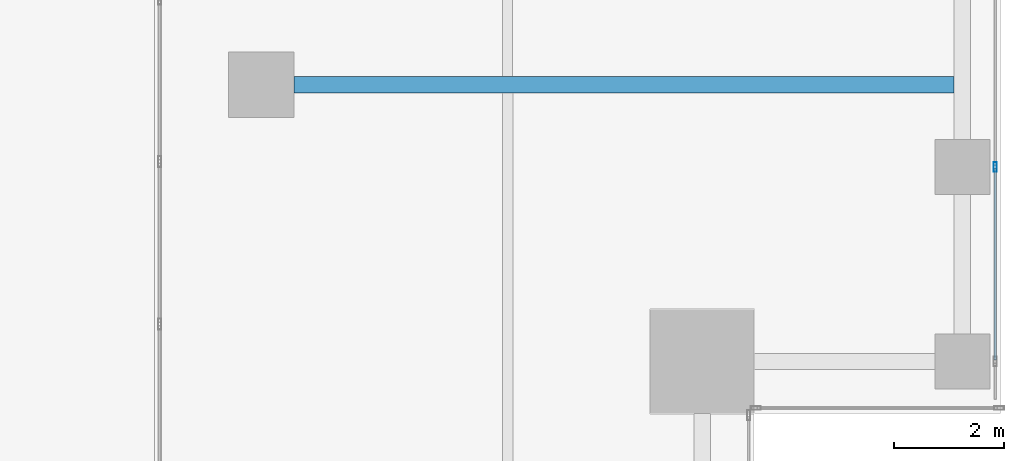
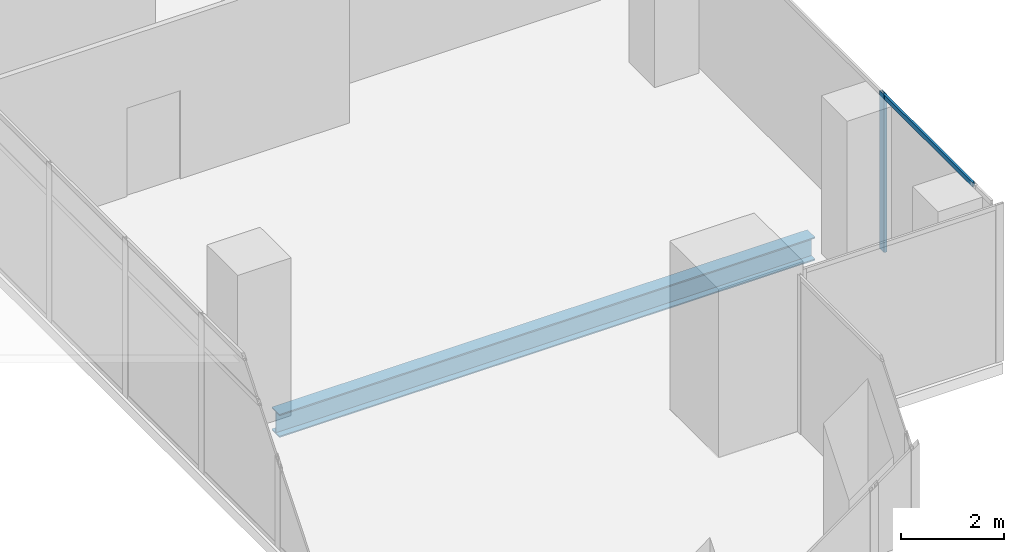
# One storey, part 12 of 40: 2 members, 1 beam, 1 element without a shape of its own.
"""IFC4 building model written with IfcOpenShell, lengths in metres."""

from ifc_helpers import new_model, si_unit, direction, frame, origin, origin_2d, place, context, subcontext, project, spatial, hollow_rectangle, i_section, extrude, source, transform, mapped, material, material_profile, profile_set, type_object, element, aggregate, save


model = new_model("IFC4")

# Units and contexts
model_context = context("Model", 3, precision=1e-05, world=origin(), true_north=direction((0.0, 1.0)))
body_context = subcontext(model_context, "Body", "Model", "MODEL_VIEW")
ifc_project = project(units=[si_unit("LENGTHUNIT", "METRE"), si_unit("AREAUNIT", "SQUARE_METRE"), si_unit("VOLUMEUNIT", "CUBIC_METRE"), si_unit("PLANEANGLEUNIT", "RADIAN"), si_unit("MASSUNIT", "GRAM", prefix="KILO")], contexts=[model_context])

# Site, building, storey
site_placement = place(None, origin())
site = spatial("IfcSite", under=ifc_project, at=site_placement, CompositionType="ELEMENT")
building_placement = place(site_placement, origin())
building = spatial("IfcBuilding", under=site, at=building_placement, Name="Khomas Fold Tower", CompositionType="ELEMENT")
storey_placement = place(building_placement, frame((0.0, 0.0, 184.699951171875)))
storey = spatial("IfcBuildingStorey", under=building, at=storey_placement, Name="L40", CompositionType="ELEMENT", Elevation=184.699951171875)

# Beam
ifc_material_1 = material(Name="Steel S355", Category="steel")
ifc_material_profile_1 = material_profile(ifc_material_1, i_section(OverallWidth=0.300048828125, OverallDepth=0.550048828125, WebThickness=0.014892578125, FlangeThickness=0.029052734375, at=origin_2d()), Name="HE 550 B")
ifc_profile_set_1 = profile_set([ifc_material_profile_1], Name="Steel S355")
beam_type = type_object("IfcBeamType", Name="HE 550 B beam GB4", PredefinedType="BEAM", material=ifc_profile_set_1)
shared_shape_1 = source(origin(), body_context, "Body", "SweptSolid", [
    extrude(i_section(OverallWidth=0.300048828125, OverallDepth=0.550048828125, WebThickness=0.014892578125, FlangeThickness=0.029052734375, at=origin_2d()), origin(), (0.0, 0.0, 1.0), 12.0498046875),
])
beam_placement = place(storey_placement, frame((38.10009765625, 13.5, -0.52490234375), z_axis=(1.0, 0.0, 0.0), x_axis=(0.0, 1.0, 0.0)))
element("IfcBeam", 1, at=beam_placement, inside=storey, type_object=beam_type, Name="GB4", PredefinedType="BEAM", context=body_context, shape_type="MappedRepresentation", body=[
    mapped(shared_shape_1, transform((0.0, 0.0, 0.0))),
])

# Curtain wall, members
ifc_material_2 = material(Name="Aluminium framed double glazing", Category="aluminium")
curtain_wall_type = type_object("IfcCurtainWallType", Name="SK-Unitised clear-glass wall, office floors CW2", PredefinedType="NOTDEFINED", material=ifc_material_2)
curtain_wall_placement = place(storey_placement, origin())
curtain_wall = element("IfcCurtainWall", 2, at=curtain_wall_placement, inside=storey, type_object=curtain_wall_type, Name="CW2 run L40 08-0", PredefinedType="NOTDEFINED")
ifc_material_3 = material(Name="Aluminium", Category="aluminium")
ifc_material_profile_2 = material_profile(ifc_material_3, hollow_rectangle(XDim=0.06005859375, YDim=0.179931640625, WallThickness=0.00390625, at=origin_2d()), Name="SK-Unitised clear-glass wall, office floors mullion CW2-M")
ifc_profile_set_2 = profile_set([ifc_material_profile_2], Name="Aluminium")
member_type_1 = type_object("IfcMemberType", Name="SK-Unitised clear-glass wall, office floors mullion CW2-M", PredefinedType="MULLION", material=ifc_profile_set_2)
shared_shape_2 = source(origin(), body_context, "Body", "SweptSolid", [
    extrude(hollow_rectangle(XDim=0.06005859375, YDim=0.179931640625, WallThickness=0.00390625, at=origin_2d()), origin(), (0.0, 0.0, 1.0), 3.75),
])
member_1_placement = place(storey_placement, frame((50.89990234375, 12.0, 0.0), z_axis=(0.0, 0.0, 1.0), x_axis=(-1.0, 0.0, 0.0)))
member_1 = element("IfcMember", 3, at=member_1_placement, type_object=member_type_1, Name="CW2 mullion 3", PredefinedType="MULLION", context=body_context, shape_type="MappedRepresentation", body=[
    mapped(shared_shape_2, transform((0.0, 0.0, 0.0))),
])
ifc_material_4 = material(Name="Aluminium", Category="aluminium")
ifc_material_profile_3 = material_profile(ifc_material_4, hollow_rectangle(XDim=0.050048828125, YDim=0.110107421875, WallThickness=0.00390625, at=origin_2d()), Name="SK-Unitised clear-glass wall, office floors transom CW2-T")
ifc_profile_set_3 = profile_set([ifc_material_profile_3], Name="Aluminium")
member_type_2 = type_object("IfcMemberType", Name="SK-Unitised clear-glass wall, office floors transom CW2-T", PredefinedType="USERDEFINED", material=ifc_profile_set_3)
shared_shape_3 = source(origin(), body_context, "Body", "SweptSolid", [
    extrude(hollow_rectangle(XDim=0.050048828125, YDim=0.110107421875, WallThickness=0.00390625, at=origin_2d()), origin(), (0.0, 0.0, 1.0), 3.489990234375),
])
member_2_placement = place(storey_placement, frame((50.89990234375, 8.47998046875, 3.695068359375), z_axis=(0.0, 1.0, 0.0), x_axis=(-1.0, 0.0, 0.0)))
member_2 = element("IfcMember", 4, at=member_2_placement, type_object=member_type_2, Name="CW2 transom 2", ObjectType="TRANSOM", PredefinedType="USERDEFINED", context=body_context, shape_type="MappedRepresentation", body=[
    mapped(shared_shape_3, transform((0.0, 0.0, 0.0))),
])
aggregate(curtain_wall, [member_1, member_2])

save(model, "model.ifc")
